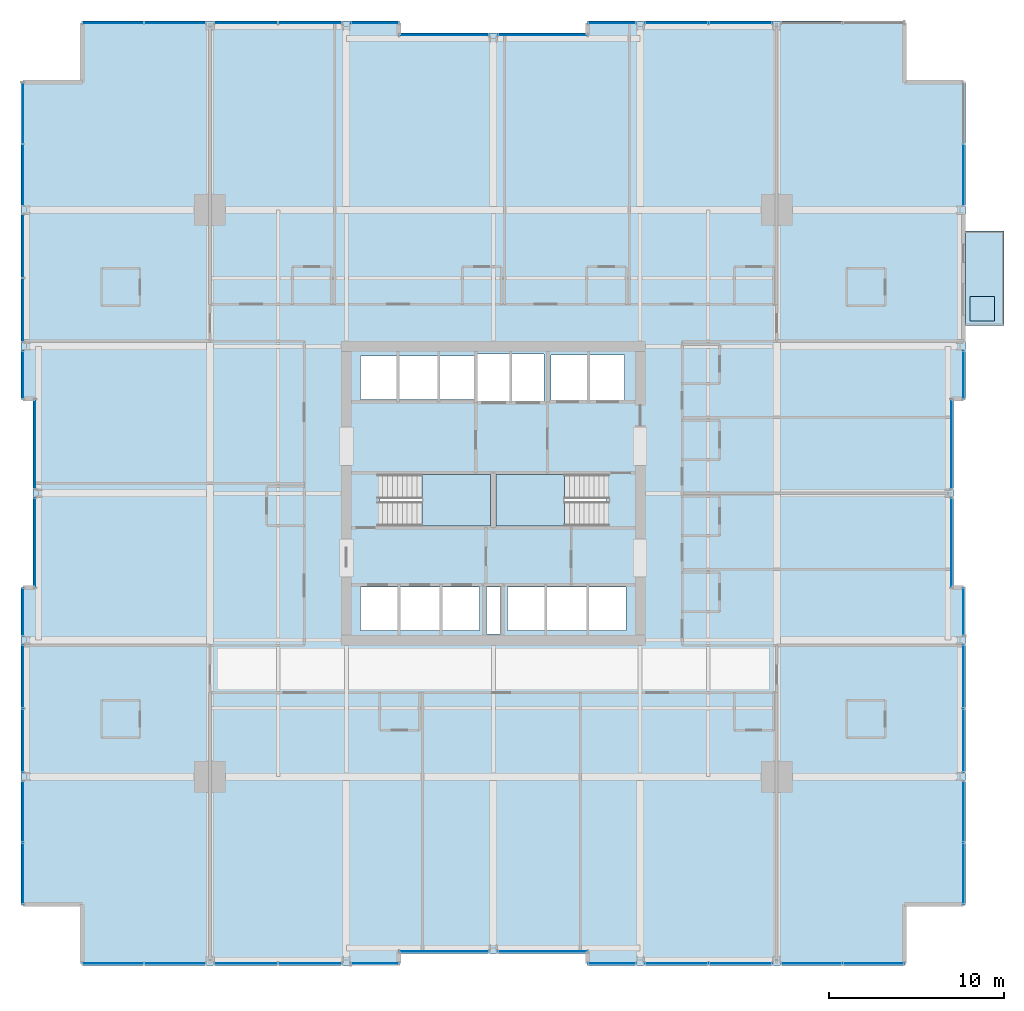
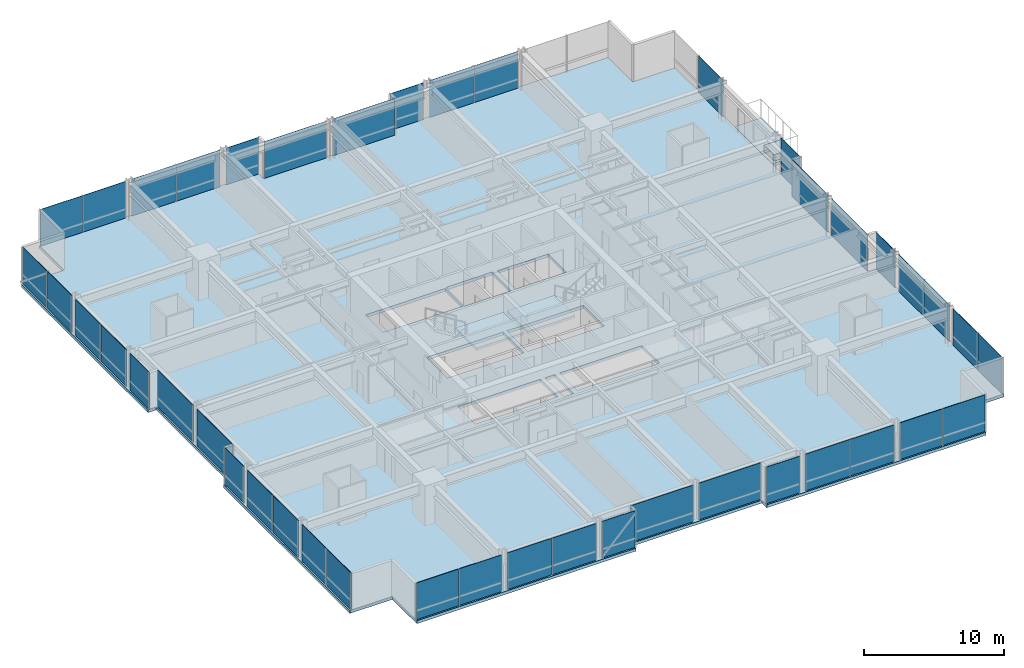
# One storey, part 29 of 38: 43 plates, 5 slabs, 32 elements without a shape of their own.
"""IFC4 building model written with IfcOpenShell, lengths in metres."""

from ifc_helpers import new_model, si_unit, direction, frame, origin, origin_2d, place, context, subcontext, project, spatial, polyline, rectangle, outline, extrude, material, layer, layer_set, type_object, element, aggregate, save


model = new_model("IFC4")

# Units and contexts
model_context = context("Model", 3, precision=1e-05, world=origin(), true_north=direction((0.0, 1.0)))
body_context = subcontext(model_context, "Body", "Model", "MODEL_VIEW")
ifc_project = project(units=[si_unit("LENGTHUNIT", "METRE"), si_unit("AREAUNIT", "SQUARE_METRE"), si_unit("VOLUMEUNIT", "CUBIC_METRE"), si_unit("PLANEANGLEUNIT", "RADIAN"), si_unit("MASSUNIT", "GRAM", prefix="KILO")], contexts=[model_context])

# Site, building, storey
site_placement = place(None, origin())
site = spatial("IfcSite", under=ifc_project, at=site_placement, CompositionType="ELEMENT")
building_placement = place(site_placement, origin())
building = spatial("IfcBuilding", under=site, at=building_placement, Name="Drelvath Grand Hotel", CompositionType="ELEMENT")
storey_placement = place(building_placement, frame((0.0, 0.0, 47.199951171875)))
storey = spatial("IfcBuildingStorey", under=building, at=storey_placement, Name="L10", CompositionType="ELEMENT", Elevation=47.199951171875)

# Slabs
ifc_material_1 = material(Name="Concrete f'c 40 MPa", Category="concrete")
ifc_layer_1 = layer(ifc_material_1, 0.239990234375)
ifc_layer_set_1 = layer_set([ifc_layer_1], Name="Concrete f'c 40 MPa")
slab_type_1 = type_object("IfcSlabType", Name="Cantilevered Tree Balcony Slab 240", PredefinedType="FLOOR", material=ifc_layer_set_1)
slab_1_placement = place(storey_placement, frame((0.0, 0.0, -0.239990234375)))
element("IfcSlab", 1, at=slab_1_placement, inside=storey, type_object=slab_type_1, Name="L10 Cantilevered Tree Balcony Slab 1", PredefinedType="FLOOR", context=body_context, shape_type="SweptSolid", body=[
    extrude(outline(polyline([(27.0, 36.60009765625), (29.199951171875, 36.60009765625), (29.199951171875, 42.0), (27.0, 42.0), (27.0, 36.60009765625)])), origin(), (0.0, 0.0, 1.0), 0.239990234375),
])
ifc_layer_2 = layer(ifc_material_1, 0.260009765625)
ifc_layer_set_2 = layer_set([ifc_layer_2], Name="Concrete f'c 40 MPa")
slab_type_2 = type_object("IfcSlabType", Name="Composite RC Floor Slab 260", PredefinedType="FLOOR", material=ifc_layer_set_2)
slab_2_placement = place(storey_placement, frame((0.0, 0.0, -0.260009765625)))
element("IfcSlab", 2, at=slab_2_placement, inside=storey, type_object=slab_type_2, Name="L10 Structural Floor Slab", PredefinedType="FLOOR", context=body_context, shape_type="SweptSolid", body=[
    extrude(outline(polyline([(-23.5, 0.0), (-5.39990234375, 0.0), (-5.39990234375, 0.679931640625), (5.39990234375, 0.679931640625), (5.39990234375, 0.0), (23.5, 0.0), (23.5, 3.5), (27.0, 3.5), (27.0, 21.60009765625), (26.320068359375, 21.60009765625), (26.320068359375, 32.39990234375), (27.0, 32.39990234375), (27.0, 50.5), (23.5, 50.5), (23.5, 54.0), (5.39990234375, 54.0), (5.39990234375, 53.320068359375), (-5.39990234375, 53.320068359375), (-5.39990234375, 54.0), (-23.5, 54.0), (-23.5, 50.5), (-27.0, 50.5), (-27.0, 32.39990234375), (-26.320068359375, 32.39990234375), (-26.320068359375, 21.60009765625), (-27.0, 21.60009765625), (-27.0, 3.5), (-23.5, 3.5), (-23.5, 0.0)]), holes=[polyline([(-6.47998046875, 25.1201171875), (-6.47998046875, 28.080078125), (-0.14990234375, 28.080078125), (-0.14990234375, 25.1201171875), (-6.47998046875, 25.1201171875)]), polyline([(0.14990234375, 25.1201171875), (0.14990234375, 28.080078125), (6.47998046875, 28.080078125), (6.47998046875, 25.1201171875), (0.14990234375, 25.1201171875)]), polyline([(-7.60009765625, 19.14990234375), (-7.60009765625, 21.64990234375), (-0.800048828125, 21.64990234375), (-0.800048828125, 19.14990234375), (-7.60009765625, 19.14990234375)]), polyline([(-0.39990234375, 18.9599609375), (-0.39990234375, 21.639892578125), (0.39990234375, 21.639892578125), (0.39990234375, 18.9599609375), (-0.39990234375, 18.9599609375)]), polyline([(0.800048828125, 19.14990234375), (0.800048828125, 21.64990234375), (7.60009765625, 21.64990234375), (7.60009765625, 19.14990234375), (0.800048828125, 19.14990234375)]), polyline([(-7.60009765625, 32.35009765625), (-7.60009765625, 34.85009765625), (-1.02001953125, 34.85009765625), (-1.02001953125, 32.35009765625), (-7.60009765625, 32.35009765625)]), polyline([(-0.89990234375, 32.25), (-0.89990234375, 34.949951171875), (2.89990234375, 34.949951171875), (2.89990234375, 32.25), (-0.89990234375, 32.25)]), polyline([(3.300048828125, 32.300048828125), (3.300048828125, 34.89990234375), (7.5, 34.89990234375), (7.5, 32.300048828125), (3.300048828125, 32.300048828125)])]), origin(), (0.0, 0.0, 1.0), 0.260009765625),
])

# Stair, slab
ifc_material_2 = material(Name="Concrete C40/50", Category="concrete")
stair_type = type_object("IfcStairType", Name="Dogleg Exit Stair W1400-R175.0", PredefinedType="HALF_TURN_STAIR", material=ifc_material_2)
stair_1_placement = place(storey_placement, origin())
stair_1 = element("IfcStair", 3, at=stair_1_placement, inside=storey, type_object=stair_type, Name="L10 Core Exit Stair ST-1", PredefinedType="HALF_TURN_STAIR")
ifc_layer_3 = layer(ifc_material_2, 0.199951171875)
ifc_layer_set_3 = layer_set([ifc_layer_3], Name="Concrete C40/50")
slab_type_3 = type_object("IfcSlabType", Name="Concrete Stair Landing Slab 200", PredefinedType="LANDING", material=ifc_layer_set_3)
slab_3_placement = place(storey_placement, frame((0.0, 0.0, 1.550048828125)))
slab_3 = element("IfcSlab", 4, at=slab_3_placement, type_object=slab_type_3, Name="ST-1 landing 1", PredefinedType="LANDING", context=body_context, shape_type="SweptSolid", body=[
    extrude(outline(polyline([(-4.080078125, 25.1201171875), (-0.14990234375, 25.1201171875), (-0.14990234375, 28.080078125), (-4.080078125, 28.080078125), (-4.080078125, 25.1201171875)])), origin(), (0.0, 0.0, 1.0), 0.199951171875),
])
aggregate(stair_1, [slab_3])

stair_2_placement = place(storey_placement, origin())
stair_2 = element("IfcStair", 5, at=stair_2_placement, inside=storey, type_object=stair_type, Name="L10 Core Exit Stair ST-2", PredefinedType="HALF_TURN_STAIR")
slab_4_placement = place(storey_placement, frame((0.0, 0.0, 1.550048828125)))
slab_4 = element("IfcSlab", 6, at=slab_4_placement, type_object=slab_type_3, Name="ST-2 landing 1", PredefinedType="LANDING", context=body_context, shape_type="SweptSolid", body=[
    extrude(outline(polyline([(4.080078125, 28.080078125), (0.14990234375, 28.080078125), (0.14990234375, 25.1201171875), (4.080078125, 25.1201171875), (4.080078125, 28.080078125)])), origin(), (0.0, 0.0, 1.0), 0.199951171875),
])
aggregate(stair_2, [slab_4])

# Curtain wall, plates
ifc_material_3 = material(Name="Warm Bronze Anodised Aluminium Frame", Category="aluminium")
ifc_layer_4 = layer(ifc_material_3, 0.199951171875)
ifc_layer_set_4 = layer_set([ifc_layer_4], Name="Warm Bronze Anodised Aluminium Frame")
curtain_wall_type = type_object("IfcCurtainWallType", Name="Stick Curtain Wall CW-02 Warm Bronze Low-Rise", PredefinedType="NOTDEFINED", material=ifc_layer_set_4)
curtain_wall_1_placement = place(storey_placement, origin())
curtain_wall_1 = element("IfcCurtainWall", 7, at=curtain_wall_1_placement, inside=storey, type_object=curtain_wall_type, Name="L10 CW-02 Curtain Wall CW02-L10-WS1", PredefinedType="NOTDEFINED")
ifc_material_4 = material(Name="Low-E Triple Silver Vision Glass Bronze Tint", Category="glass")
ifc_layer_5 = layer(ifc_material_4, 0.035888671875)
ifc_layer_set_5 = layer_set([ifc_layer_5], Name="Low-E Triple Silver Vision Glass Bronze Tint")
plate_type = type_object("IfcPlateType", Name="Curtain Wall Vision Panel CW-02 36mm", PredefinedType="CURTAIN_PANEL", material=ifc_layer_set_5)
plate_1_placement = place(storey_placement, frame((-26.8798828125, 5.264892578125, 0.02001953125), z_axis=(0.0, 0.0, 1.0), x_axis=(0.0, 1.0, 0.0)))
plate_1 = element("IfcPlate", 8, at=plate_1_placement, type_object=plate_type, Name="CW02-L10-WS1 Glazed Panel 1", PredefinedType="CURTAIN_PANEL", context=body_context, shape_type="SweptSolid", body=[
    extrude(rectangle(XDim=3.489501953125, YDim=0.035888671875, at=origin_2d()), origin(), (0.0, 0.0, 1.0), 3.199951171875),
])
plate_2_placement = place(storey_placement, frame((-26.8798828125, 8.794189453125, 0.02001953125), z_axis=(0.0, 0.0, 1.0), x_axis=(0.0, 1.0, 0.0)))
plate_2 = element("IfcPlate", 9, at=plate_2_placement, type_object=plate_type, Name="CW02-L10-WS1 Glazed Panel 2", PredefinedType="CURTAIN_PANEL", context=body_context, shape_type="SweptSolid", body=[
    extrude(rectangle(XDim=3.489501953125, YDim=0.035888671875, at=origin_2d()), origin(), (0.0, 0.0, 1.0), 3.199951171875),
])
aggregate(curtain_wall_1, [plate_1, plate_2])

curtain_wall_2_placement = place(storey_placement, origin())
curtain_wall_2 = element("IfcCurtainWall", 10, at=curtain_wall_2_placement, inside=storey, type_object=curtain_wall_type, Name="L10 CW-02 Curtain Wall CW02-L10-WS2", PredefinedType="NOTDEFINED")
plate_3_placement = place(storey_placement, frame((-26.8798828125, 12.870361328125, 0.02001953125), z_axis=(0.0, 0.0, 1.0), x_axis=(0.0, 1.0, 0.0)))
plate_3 = element("IfcPlate", 11, at=plate_3_placement, type_object=plate_type, Name="CW02-L10-WS2 Glazed Panel 1", PredefinedType="CURTAIN_PANEL", context=body_context, shape_type="SweptSolid", body=[
    extrude(rectangle(XDim=3.619140625, YDim=0.035888671875, at=origin_2d()), origin(), (0.0, 0.0, 1.0), 3.199951171875),
])
plate_4_placement = place(storey_placement, frame((-26.8798828125, 16.529541015625, 0.02001953125), z_axis=(0.0, 0.0, 1.0), x_axis=(0.0, 1.0, 0.0)))
plate_4 = element("IfcPlate", 12, at=plate_4_placement, type_object=plate_type, Name="CW02-L10-WS2 Glazed Panel 2", PredefinedType="CURTAIN_PANEL", context=body_context, shape_type="SweptSolid", body=[
    extrude(rectangle(XDim=3.619140625, YDim=0.035888671875, at=origin_2d()), origin(), (0.0, 0.0, 1.0), 3.199951171875),
])
aggregate(curtain_wall_2, [plate_3, plate_4])

# Curtain wall, plate
curtain_wall_3_placement = place(storey_placement, origin())
curtain_wall_3 = element("IfcCurtainWall", 13, at=curtain_wall_3_placement, inside=storey, type_object=curtain_wall_type, Name="L10 CW-02 Curtain Wall CW02-L10-WS3", PredefinedType="NOTDEFINED")
plate_5_placement = place(storey_placement, frame((-26.8798828125, 20.220458984375, 0.02001953125), z_axis=(0.0, 0.0, 1.0), x_axis=(0.0, 1.0, 0.0)))
plate_5 = element("IfcPlate", 14, at=plate_5_placement, type_object=plate_type, Name="CW02-L10-WS3 Glazed Panel 1", PredefinedType="CURTAIN_PANEL", context=body_context, shape_type="SweptSolid", body=[
    extrude(rectangle(XDim=2.718994140625, YDim=0.035888671875, at=origin_2d()), origin(), (0.0, 0.0, 1.0), 3.199951171875),
])
aggregate(curtain_wall_3, [plate_5])

curtain_wall_4_placement = place(storey_placement, origin())
curtain_wall_4 = element("IfcCurtainWall", 15, at=curtain_wall_4_placement, inside=storey, type_object=curtain_wall_type, Name="L10 CW-02 Curtain Wall CW02-L10-WM1", PredefinedType="NOTDEFINED")
plate_6_placement = place(storey_placement, frame((-26.199951171875, 24.179443359375, 0.02001953125), z_axis=(0.0, 0.0, 1.0), x_axis=(0.0, 1.0, 0.0)))
plate_6 = element("IfcPlate", 16, at=plate_6_placement, type_object=plate_type, Name="CW02-L10-WM1 Glazed Panel 1", PredefinedType="CURTAIN_PANEL", context=body_context, shape_type="SweptSolid", body=[
    extrude(rectangle(XDim=5.119140625, YDim=0.035888671875, at=origin_2d()), origin(), (0.0, 0.0, 1.0), 3.199951171875),
])
aggregate(curtain_wall_4, [plate_6])

curtain_wall_5_placement = place(storey_placement, origin())
curtain_wall_5 = element("IfcCurtainWall", 17, at=curtain_wall_5_placement, inside=storey, type_object=curtain_wall_type, Name="L10 CW-02 Curtain Wall CW02-L10-WM2", PredefinedType="NOTDEFINED")
plate_7_placement = place(storey_placement, frame((-26.199951171875, 29.820556640625, 0.02001953125), z_axis=(0.0, 0.0, 1.0), x_axis=(0.0, 1.0, 0.0)))
plate_7 = element("IfcPlate", 18, at=plate_7_placement, type_object=plate_type, Name="CW02-L10-WM2 Glazed Panel 1", PredefinedType="CURTAIN_PANEL", context=body_context, shape_type="SweptSolid", body=[
    extrude(rectangle(XDim=5.119140625, YDim=0.035888671875, at=origin_2d()), origin(), (0.0, 0.0, 1.0), 3.199951171875),
])
aggregate(curtain_wall_5, [plate_7])

curtain_wall_6_placement = place(storey_placement, origin())
curtain_wall_6 = element("IfcCurtainWall", 19, at=curtain_wall_6_placement, inside=storey, type_object=curtain_wall_type, Name="L10 CW-02 Curtain Wall CW02-L10-WN1", PredefinedType="NOTDEFINED")
plate_8_placement = place(storey_placement, frame((-26.8798828125, 33.779541015625, 0.02001953125), z_axis=(0.0, 0.0, 1.0), x_axis=(0.0, 1.0, 0.0)))
plate_8 = element("IfcPlate", 20, at=plate_8_placement, type_object=plate_type, Name="CW02-L10-WN1 Glazed Panel 1", PredefinedType="CURTAIN_PANEL", context=body_context, shape_type="SweptSolid", body=[
    extrude(rectangle(XDim=2.718994140625, YDim=0.035888671875, at=origin_2d()), origin(), (0.0, 0.0, 1.0), 3.199951171875),
])
aggregate(curtain_wall_6, [plate_8])

# Curtain wall, plates
curtain_wall_7_placement = place(storey_placement, origin())
curtain_wall_7 = element("IfcCurtainWall", 21, at=curtain_wall_7_placement, inside=storey, type_object=curtain_wall_type, Name="L10 CW-02 Curtain Wall CW02-L10-WN2", PredefinedType="NOTDEFINED")
plate_9_placement = place(storey_placement, frame((-26.8798828125, 37.470458984375, 0.02001953125), z_axis=(0.0, 0.0, 1.0), x_axis=(0.0, 1.0, 0.0)))
plate_9 = element("IfcPlate", 22, at=plate_9_placement, type_object=plate_type, Name="CW02-L10-WN2 Glazed Panel 1", PredefinedType="CURTAIN_PANEL", context=body_context, shape_type="SweptSolid", body=[
    extrude(rectangle(XDim=3.619140625, YDim=0.035888671875, at=origin_2d()), origin(), (0.0, 0.0, 1.0), 3.199951171875),
])
plate_10_placement = place(storey_placement, frame((-26.8798828125, 41.129638671875, 0.02001953125), z_axis=(0.0, 0.0, 1.0), x_axis=(0.0, 1.0, 0.0)))
plate_10 = element("IfcPlate", 23, at=plate_10_placement, type_object=plate_type, Name="CW02-L10-WN2 Glazed Panel 2", PredefinedType="CURTAIN_PANEL", context=body_context, shape_type="SweptSolid", body=[
    extrude(rectangle(XDim=3.619140625, YDim=0.035888671875, at=origin_2d()), origin(), (0.0, 0.0, 1.0), 3.199951171875),
])
aggregate(curtain_wall_7, [plate_9, plate_10])

curtain_wall_8_placement = place(storey_placement, origin())
curtain_wall_8 = element("IfcCurtainWall", 24, at=curtain_wall_8_placement, inside=storey, type_object=curtain_wall_type, Name="L10 CW-02 Curtain Wall CW02-L10-WN3", PredefinedType="NOTDEFINED")
plate_11_placement = place(storey_placement, frame((-26.8798828125, 45.205810546875, 0.02001953125), z_axis=(0.0, 0.0, 1.0), x_axis=(0.0, 1.0, 0.0)))
plate_11 = element("IfcPlate", 25, at=plate_11_placement, type_object=plate_type, Name="CW02-L10-WN3 Glazed Panel 1", PredefinedType="CURTAIN_PANEL", context=body_context, shape_type="SweptSolid", body=[
    extrude(rectangle(XDim=3.489501953125, YDim=0.035888671875, at=origin_2d()), origin(), (0.0, 0.0, 1.0), 3.199951171875),
])
plate_12_placement = place(storey_placement, frame((-26.8798828125, 48.735107421875, 0.02001953125), z_axis=(0.0, 0.0, 1.0), x_axis=(0.0, 1.0, 0.0)))
plate_12 = element("IfcPlate", 26, at=plate_12_placement, type_object=plate_type, Name="CW02-L10-WN3 Glazed Panel 2", PredefinedType="CURTAIN_PANEL", context=body_context, shape_type="SweptSolid", body=[
    extrude(rectangle(XDim=3.489501953125, YDim=0.035888671875, at=origin_2d()), origin(), (0.0, 0.0, 1.0), 3.199951171875),
])
aggregate(curtain_wall_8, [plate_11, plate_12])

# Curtain wall, plate
curtain_wall_9_placement = place(storey_placement, origin())
curtain_wall_9 = element("IfcCurtainWall", 27, at=curtain_wall_9_placement, inside=storey, type_object=curtain_wall_type, Name="L10 CW-02 Curtain Wall CW02-L10-EN1", PredefinedType="NOTDEFINED")
plate_13_placement = place(storey_placement, frame((26.8798828125, 33.779541015625, 0.02001953125), z_axis=(0.0, 0.0, 1.0), x_axis=(0.0, -1.0, 0.0)))
plate_13 = element("IfcPlate", 28, at=plate_13_placement, type_object=plate_type, Name="CW02-L10-EN1 Glazed Panel 1", PredefinedType="CURTAIN_PANEL", context=body_context, shape_type="SweptSolid", body=[
    extrude(rectangle(XDim=2.718994140625, YDim=0.035888671875, at=origin_2d()), origin(), (0.0, 0.0, 1.0), 3.199951171875),
])
aggregate(curtain_wall_9, [plate_13])

curtain_wall_10_placement = place(storey_placement, origin())
curtain_wall_10 = element("IfcCurtainWall", 29, at=curtain_wall_10_placement, inside=storey, type_object=curtain_wall_type, Name="L10 CW-02 Curtain Wall CW02-L10-EN3", PredefinedType="NOTDEFINED")
plate_14_placement = place(storey_placement, frame((26.8798828125, 45.205810546875, 0.02001953125), z_axis=(0.0, 0.0, 1.0), x_axis=(0.0, -1.0, 0.0)))
plate_14 = element("IfcPlate", 30, at=plate_14_placement, type_object=plate_type, Name="CW02-L10-EN3 Glazed Panel 2", PredefinedType="CURTAIN_PANEL", context=body_context, shape_type="SweptSolid", body=[
    extrude(rectangle(XDim=3.489501953125, YDim=0.035888671875, at=origin_2d()), origin(), (0.0, 0.0, 1.0), 3.199951171875),
])
aggregate(curtain_wall_10, [plate_14])

curtain_wall_11_placement = place(storey_placement, origin())
curtain_wall_11 = element("IfcCurtainWall", 31, at=curtain_wall_11_placement, inside=storey, type_object=curtain_wall_type, Name="L10 CW-02 Curtain Wall CW02-L10-EM1", PredefinedType="NOTDEFINED")
plate_15_placement = place(storey_placement, frame((26.199951171875, 24.179443359375, 0.02001953125), z_axis=(0.0, 0.0, 1.0), x_axis=(0.0, -1.0, 0.0)))
plate_15 = element("IfcPlate", 32, at=plate_15_placement, type_object=plate_type, Name="CW02-L10-EM1 Glazed Panel 1", PredefinedType="CURTAIN_PANEL", context=body_context, shape_type="SweptSolid", body=[
    extrude(rectangle(XDim=5.119140625, YDim=0.035888671875, at=origin_2d()), origin(), (0.0, 0.0, 1.0), 3.199951171875),
])
aggregate(curtain_wall_11, [plate_15])

curtain_wall_12_placement = place(storey_placement, origin())
curtain_wall_12 = element("IfcCurtainWall", 33, at=curtain_wall_12_placement, inside=storey, type_object=curtain_wall_type, Name="L10 CW-02 Curtain Wall CW02-L10-EM2", PredefinedType="NOTDEFINED")
plate_16_placement = place(storey_placement, frame((26.199951171875, 29.820556640625, 0.02001953125), z_axis=(0.0, 0.0, 1.0), x_axis=(0.0, -1.0, 0.0)))
plate_16 = element("IfcPlate", 34, at=plate_16_placement, type_object=plate_type, Name="CW02-L10-EM2 Glazed Panel 1", PredefinedType="CURTAIN_PANEL", context=body_context, shape_type="SweptSolid", body=[
    extrude(rectangle(XDim=5.119140625, YDim=0.035888671875, at=origin_2d()), origin(), (0.0, 0.0, 1.0), 3.199951171875),
])
aggregate(curtain_wall_12, [plate_16])

# Curtain wall, plates
curtain_wall_13_placement = place(storey_placement, origin())
curtain_wall_13 = element("IfcCurtainWall", 35, at=curtain_wall_13_placement, inside=storey, type_object=curtain_wall_type, Name="L10 CW-02 Curtain Wall CW02-L10-ES1", PredefinedType="NOTDEFINED")
plate_17_placement = place(storey_placement, frame((26.8798828125, 8.794189453125, 0.02001953125), z_axis=(0.0, 0.0, 1.0), x_axis=(0.0, -1.0, 0.0)))
plate_17 = element("IfcPlate", 36, at=plate_17_placement, type_object=plate_type, Name="CW02-L10-ES1 Glazed Panel 1", PredefinedType="CURTAIN_PANEL", context=body_context, shape_type="SweptSolid", body=[
    extrude(rectangle(XDim=3.489501953125, YDim=0.035888671875, at=origin_2d()), origin(), (0.0, 0.0, 1.0), 3.199951171875),
])
plate_18_placement = place(storey_placement, frame((26.8798828125, 5.264892578125, 0.02001953125), z_axis=(0.0, 0.0, 1.0), x_axis=(0.0, -1.0, 0.0)))
plate_18 = element("IfcPlate", 37, at=plate_18_placement, type_object=plate_type, Name="CW02-L10-ES1 Glazed Panel 2", PredefinedType="CURTAIN_PANEL", context=body_context, shape_type="SweptSolid", body=[
    extrude(rectangle(XDim=3.489501953125, YDim=0.035888671875, at=origin_2d()), origin(), (0.0, 0.0, 1.0), 3.199951171875),
])
aggregate(curtain_wall_13, [plate_17, plate_18])

curtain_wall_14_placement = place(storey_placement, origin())
curtain_wall_14 = element("IfcCurtainWall", 38, at=curtain_wall_14_placement, inside=storey, type_object=curtain_wall_type, Name="L10 CW-02 Curtain Wall CW02-L10-ES2", PredefinedType="NOTDEFINED")
plate_19_placement = place(storey_placement, frame((26.8798828125, 16.529541015625, 0.02001953125), z_axis=(0.0, 0.0, 1.0), x_axis=(0.0, -1.0, 0.0)))
plate_19 = element("IfcPlate", 39, at=plate_19_placement, type_object=plate_type, Name="CW02-L10-ES2 Glazed Panel 1", PredefinedType="CURTAIN_PANEL", context=body_context, shape_type="SweptSolid", body=[
    extrude(rectangle(XDim=3.619140625, YDim=0.035888671875, at=origin_2d()), origin(), (0.0, 0.0, 1.0), 3.199951171875),
])
plate_20_placement = place(storey_placement, frame((26.8798828125, 12.870361328125, 0.02001953125), z_axis=(0.0, 0.0, 1.0), x_axis=(0.0, -1.0, 0.0)))
plate_20 = element("IfcPlate", 40, at=plate_20_placement, type_object=plate_type, Name="CW02-L10-ES2 Glazed Panel 2", PredefinedType="CURTAIN_PANEL", context=body_context, shape_type="SweptSolid", body=[
    extrude(rectangle(XDim=3.619140625, YDim=0.035888671875, at=origin_2d()), origin(), (0.0, 0.0, 1.0), 3.199951171875),
])
aggregate(curtain_wall_14, [plate_19, plate_20])

# Curtain wall, plate
curtain_wall_15_placement = place(storey_placement, origin())
curtain_wall_15 = element("IfcCurtainWall", 41, at=curtain_wall_15_placement, inside=storey, type_object=curtain_wall_type, Name="L10 CW-02 Curtain Wall CW02-L10-ES3", PredefinedType="NOTDEFINED")
plate_21_placement = place(storey_placement, frame((26.8798828125, 20.220458984375, 0.02001953125), z_axis=(0.0, 0.0, 1.0), x_axis=(0.0, -1.0, 0.0)))
plate_21 = element("IfcPlate", 42, at=plate_21_placement, type_object=plate_type, Name="CW02-L10-ES3 Glazed Panel 1", PredefinedType="CURTAIN_PANEL", context=body_context, shape_type="SweptSolid", body=[
    extrude(rectangle(XDim=2.718994140625, YDim=0.035888671875, at=origin_2d()), origin(), (0.0, 0.0, 1.0), 3.199951171875),
])
aggregate(curtain_wall_15, [plate_21])

# Curtain wall, plates
curtain_wall_16_placement = place(storey_placement, origin())
curtain_wall_16 = element("IfcCurtainWall", 43, at=curtain_wall_16_placement, inside=storey, type_object=curtain_wall_type, Name="L10 CW-02 Curtain Wall CW02-L10-NW1", PredefinedType="NOTDEFINED")
plate_22_placement = place(storey_placement, frame((-21.735107421875, 53.8798828125, 0.02001953125), z_axis=(0.0, 0.0, 1.0), x_axis=(1.0, 0.0, 0.0)))
plate_22 = element("IfcPlate", 44, at=plate_22_placement, type_object=plate_type, Name="CW02-L10-NW1 Glazed Panel 1", PredefinedType="CURTAIN_PANEL", context=body_context, shape_type="SweptSolid", body=[
    extrude(rectangle(XDim=3.489501953125, YDim=0.035888671875, at=origin_2d()), origin(), (0.0, 0.0, 1.0), 3.199951171875),
])
plate_23_placement = place(storey_placement, frame((-18.205810546875, 53.8798828125, 0.02001953125), z_axis=(0.0, 0.0, 1.0), x_axis=(1.0, 0.0, 0.0)))
plate_23 = element("IfcPlate", 45, at=plate_23_placement, type_object=plate_type, Name="CW02-L10-NW1 Glazed Panel 2", PredefinedType="CURTAIN_PANEL", context=body_context, shape_type="SweptSolid", body=[
    extrude(rectangle(XDim=3.489501953125, YDim=0.035888671875, at=origin_2d()), origin(), (0.0, 0.0, 1.0), 3.199951171875),
])
aggregate(curtain_wall_16, [plate_22, plate_23])

curtain_wall_17_placement = place(storey_placement, origin())
curtain_wall_17 = element("IfcCurtainWall", 46, at=curtain_wall_17_placement, inside=storey, type_object=curtain_wall_type, Name="L10 CW-02 Curtain Wall CW02-L10-NW2", PredefinedType="NOTDEFINED")
plate_24_placement = place(storey_placement, frame((-14.129638671875, 53.8798828125, 0.02001953125), z_axis=(0.0, 0.0, 1.0), x_axis=(1.0, 0.0, 0.0)))
plate_24 = element("IfcPlate", 47, at=plate_24_placement, type_object=plate_type, Name="CW02-L10-NW2 Glazed Panel 1", PredefinedType="CURTAIN_PANEL", context=body_context, shape_type="SweptSolid", body=[
    extrude(rectangle(XDim=3.619140625, YDim=0.035888671875, at=origin_2d()), origin(), (0.0, 0.0, 1.0), 3.199951171875),
])
plate_25_placement = place(storey_placement, frame((-10.470458984375, 53.8798828125, 0.02001953125), z_axis=(0.0, 0.0, 1.0), x_axis=(1.0, 0.0, 0.0)))
plate_25 = element("IfcPlate", 48, at=plate_25_placement, type_object=plate_type, Name="CW02-L10-NW2 Glazed Panel 2", PredefinedType="CURTAIN_PANEL", context=body_context, shape_type="SweptSolid", body=[
    extrude(rectangle(XDim=3.619140625, YDim=0.035888671875, at=origin_2d()), origin(), (0.0, 0.0, 1.0), 3.199951171875),
])
aggregate(curtain_wall_17, [plate_24, plate_25])

# Curtain wall, plate
curtain_wall_18_placement = place(storey_placement, origin())
curtain_wall_18 = element("IfcCurtainWall", 49, at=curtain_wall_18_placement, inside=storey, type_object=curtain_wall_type, Name="L10 CW-02 Curtain Wall CW02-L10-NW3", PredefinedType="NOTDEFINED")
plate_26_placement = place(storey_placement, frame((-6.779541015625, 53.8798828125, 0.02001953125), z_axis=(0.0, 0.0, 1.0), x_axis=(1.0, 0.0, 0.0)))
plate_26 = element("IfcPlate", 50, at=plate_26_placement, type_object=plate_type, Name="CW02-L10-NW3 Glazed Panel 1", PredefinedType="CURTAIN_PANEL", context=body_context, shape_type="SweptSolid", body=[
    extrude(rectangle(XDim=2.718994140625, YDim=0.035888671875, at=origin_2d()), origin(), (0.0, 0.0, 1.0), 3.199951171875),
])
aggregate(curtain_wall_18, [plate_26])

curtain_wall_19_placement = place(storey_placement, origin())
curtain_wall_19 = element("IfcCurtainWall", 51, at=curtain_wall_19_placement, inside=storey, type_object=curtain_wall_type, Name="L10 CW-02 Curtain Wall CW02-L10-NM1", PredefinedType="NOTDEFINED")
plate_27_placement = place(storey_placement, frame((-2.820556640625, 53.199951171875, 0.02001953125), z_axis=(0.0, 0.0, 1.0), x_axis=(1.0, 0.0, 0.0)))
plate_27 = element("IfcPlate", 52, at=plate_27_placement, type_object=plate_type, Name="CW02-L10-NM1 Glazed Panel 1", PredefinedType="CURTAIN_PANEL", context=body_context, shape_type="SweptSolid", body=[
    extrude(rectangle(XDim=5.119140625, YDim=0.035888671875, at=origin_2d()), origin(), (0.0, 0.0, 1.0), 3.199951171875),
])
aggregate(curtain_wall_19, [plate_27])

curtain_wall_20_placement = place(storey_placement, origin())
curtain_wall_20 = element("IfcCurtainWall", 53, at=curtain_wall_20_placement, inside=storey, type_object=curtain_wall_type, Name="L10 CW-02 Curtain Wall CW02-L10-NM2", PredefinedType="NOTDEFINED")
plate_28_placement = place(storey_placement, frame((2.820556640625, 53.199951171875, 0.02001953125), z_axis=(0.0, 0.0, 1.0), x_axis=(1.0, 0.0, 0.0)))
plate_28 = element("IfcPlate", 54, at=plate_28_placement, type_object=plate_type, Name="CW02-L10-NM2 Glazed Panel 1", PredefinedType="CURTAIN_PANEL", context=body_context, shape_type="SweptSolid", body=[
    extrude(rectangle(XDim=5.119140625, YDim=0.035888671875, at=origin_2d()), origin(), (0.0, 0.0, 1.0), 3.199951171875),
])
aggregate(curtain_wall_20, [plate_28])

curtain_wall_21_placement = place(storey_placement, origin())
curtain_wall_21 = element("IfcCurtainWall", 55, at=curtain_wall_21_placement, inside=storey, type_object=curtain_wall_type, Name="L10 CW-02 Curtain Wall CW02-L10-NE1", PredefinedType="NOTDEFINED")
plate_29_placement = place(storey_placement, frame((6.779541015625, 53.8798828125, 0.02001953125), z_axis=(0.0, 0.0, 1.0), x_axis=(1.0, 0.0, 0.0)))
plate_29 = element("IfcPlate", 56, at=plate_29_placement, type_object=plate_type, Name="CW02-L10-NE1 Glazed Panel 1", PredefinedType="CURTAIN_PANEL", context=body_context, shape_type="SweptSolid", body=[
    extrude(rectangle(XDim=2.718994140625, YDim=0.035888671875, at=origin_2d()), origin(), (0.0, 0.0, 1.0), 3.199951171875),
])
aggregate(curtain_wall_21, [plate_29])

# Curtain wall, plates
curtain_wall_22_placement = place(storey_placement, origin())
curtain_wall_22 = element("IfcCurtainWall", 57, at=curtain_wall_22_placement, inside=storey, type_object=curtain_wall_type, Name="L10 CW-02 Curtain Wall CW02-L10-NE2", PredefinedType="NOTDEFINED")
plate_30_placement = place(storey_placement, frame((10.470458984375, 53.8798828125, 0.02001953125), z_axis=(0.0, 0.0, 1.0), x_axis=(1.0, 0.0, 0.0)))
plate_30 = element("IfcPlate", 58, at=plate_30_placement, type_object=plate_type, Name="CW02-L10-NE2 Glazed Panel 1", PredefinedType="CURTAIN_PANEL", context=body_context, shape_type="SweptSolid", body=[
    extrude(rectangle(XDim=3.619140625, YDim=0.035888671875, at=origin_2d()), origin(), (0.0, 0.0, 1.0), 3.199951171875),
])
plate_31_placement = place(storey_placement, frame((14.129638671875, 53.8798828125, 0.02001953125), z_axis=(0.0, 0.0, 1.0), x_axis=(1.0, 0.0, 0.0)))
plate_31 = element("IfcPlate", 59, at=plate_31_placement, type_object=plate_type, Name="CW02-L10-NE2 Glazed Panel 2", PredefinedType="CURTAIN_PANEL", context=body_context, shape_type="SweptSolid", body=[
    extrude(rectangle(XDim=3.619140625, YDim=0.035888671875, at=origin_2d()), origin(), (0.0, 0.0, 1.0), 3.199951171875),
])
aggregate(curtain_wall_22, [plate_30, plate_31])

# Curtain wall, plate
curtain_wall_23_placement = place(storey_placement, origin())
curtain_wall_23 = element("IfcCurtainWall", 60, at=curtain_wall_23_placement, inside=storey, type_object=curtain_wall_type, Name="L10 CW-02 Curtain Wall CW02-L10-SE1", PredefinedType="NOTDEFINED")
plate_32_placement = place(storey_placement, frame((6.779541015625, 0.1201171875, 0.02001953125), z_axis=(0.0, 0.0, 1.0), x_axis=(-1.0, 0.0, 0.0)))
plate_32 = element("IfcPlate", 61, at=plate_32_placement, type_object=plate_type, Name="CW02-L10-SE1 Glazed Panel 1", PredefinedType="CURTAIN_PANEL", context=body_context, shape_type="SweptSolid", body=[
    extrude(rectangle(XDim=2.718994140625, YDim=0.035888671875, at=origin_2d()), origin(), (0.0, 0.0, 1.0), 3.199951171875),
])
aggregate(curtain_wall_23, [plate_32])

# Curtain wall, plates
curtain_wall_24_placement = place(storey_placement, origin())
curtain_wall_24 = element("IfcCurtainWall", 62, at=curtain_wall_24_placement, inside=storey, type_object=curtain_wall_type, Name="L10 CW-02 Curtain Wall CW02-L10-SE2", PredefinedType="NOTDEFINED")
plate_33_placement = place(storey_placement, frame((14.129638671875, 0.1201171875, 0.02001953125), z_axis=(0.0, 0.0, 1.0), x_axis=(-1.0, 0.0, 0.0)))
plate_33 = element("IfcPlate", 63, at=plate_33_placement, type_object=plate_type, Name="CW02-L10-SE2 Glazed Panel 1", PredefinedType="CURTAIN_PANEL", context=body_context, shape_type="SweptSolid", body=[
    extrude(rectangle(XDim=3.619140625, YDim=0.035888671875, at=origin_2d()), origin(), (0.0, 0.0, 1.0), 3.199951171875),
])
plate_34_placement = place(storey_placement, frame((10.470458984375, 0.1201171875, 0.02001953125), z_axis=(0.0, 0.0, 1.0), x_axis=(-1.0, 0.0, 0.0)))
plate_34 = element("IfcPlate", 64, at=plate_34_placement, type_object=plate_type, Name="CW02-L10-SE2 Glazed Panel 2", PredefinedType="CURTAIN_PANEL", context=body_context, shape_type="SweptSolid", body=[
    extrude(rectangle(XDim=3.619140625, YDim=0.035888671875, at=origin_2d()), origin(), (0.0, 0.0, 1.0), 3.199951171875),
])
aggregate(curtain_wall_24, [plate_33, plate_34])

curtain_wall_25_placement = place(storey_placement, origin())
curtain_wall_25 = element("IfcCurtainWall", 65, at=curtain_wall_25_placement, inside=storey, type_object=curtain_wall_type, Name="L10 CW-02 Curtain Wall CW02-L10-SE3", PredefinedType="NOTDEFINED")
plate_35_placement = place(storey_placement, frame((21.735107421875, 0.1201171875, 0.02001953125), z_axis=(0.0, 0.0, 1.0), x_axis=(-1.0, 0.0, 0.0)))
plate_35 = element("IfcPlate", 66, at=plate_35_placement, type_object=plate_type, Name="CW02-L10-SE3 Glazed Panel 1", PredefinedType="CURTAIN_PANEL", context=body_context, shape_type="SweptSolid", body=[
    extrude(rectangle(XDim=3.489501953125, YDim=0.035888671875, at=origin_2d()), origin(), (0.0, 0.0, 1.0), 3.199951171875),
])
plate_36_placement = place(storey_placement, frame((18.205810546875, 0.1201171875, 0.02001953125), z_axis=(0.0, 0.0, 1.0), x_axis=(-1.0, 0.0, 0.0)))
plate_36 = element("IfcPlate", 67, at=plate_36_placement, type_object=plate_type, Name="CW02-L10-SE3 Glazed Panel 2", PredefinedType="CURTAIN_PANEL", context=body_context, shape_type="SweptSolid", body=[
    extrude(rectangle(XDim=3.489501953125, YDim=0.035888671875, at=origin_2d()), origin(), (0.0, 0.0, 1.0), 3.199951171875),
])
aggregate(curtain_wall_25, [plate_35, plate_36])

# Curtain wall, plate
curtain_wall_26_placement = place(storey_placement, origin())
curtain_wall_26 = element("IfcCurtainWall", 68, at=curtain_wall_26_placement, inside=storey, type_object=curtain_wall_type, Name="L10 CW-02 Curtain Wall CW02-L10-SM1", PredefinedType="NOTDEFINED")
plate_37_placement = place(storey_placement, frame((-2.820556640625, 0.800048828125, 0.02001953125), z_axis=(0.0, 0.0, 1.0), x_axis=(-1.0, 0.0, 0.0)))
plate_37 = element("IfcPlate", 69, at=plate_37_placement, type_object=plate_type, Name="CW02-L10-SM1 Glazed Panel 1", PredefinedType="CURTAIN_PANEL", context=body_context, shape_type="SweptSolid", body=[
    extrude(rectangle(XDim=5.119140625, YDim=0.035888671875, at=origin_2d()), origin(), (0.0, 0.0, 1.0), 3.199951171875),
])
aggregate(curtain_wall_26, [plate_37])

curtain_wall_27_placement = place(storey_placement, origin())
curtain_wall_27 = element("IfcCurtainWall", 70, at=curtain_wall_27_placement, inside=storey, type_object=curtain_wall_type, Name="L10 CW-02 Curtain Wall CW02-L10-SM2", PredefinedType="NOTDEFINED")
plate_38_placement = place(storey_placement, frame((2.820556640625, 0.800048828125, 0.02001953125), z_axis=(0.0, 0.0, 1.0), x_axis=(-1.0, 0.0, 0.0)))
plate_38 = element("IfcPlate", 71, at=plate_38_placement, type_object=plate_type, Name="CW02-L10-SM2 Glazed Panel 1", PredefinedType="CURTAIN_PANEL", context=body_context, shape_type="SweptSolid", body=[
    extrude(rectangle(XDim=5.119140625, YDim=0.035888671875, at=origin_2d()), origin(), (0.0, 0.0, 1.0), 3.199951171875),
])
aggregate(curtain_wall_27, [plate_38])

# Curtain wall, plates
curtain_wall_28_placement = place(storey_placement, origin())
curtain_wall_28 = element("IfcCurtainWall", 72, at=curtain_wall_28_placement, inside=storey, type_object=curtain_wall_type, Name="L10 CW-02 Curtain Wall CW02-L10-SW1", PredefinedType="NOTDEFINED")
plate_39_placement = place(storey_placement, frame((-18.205810546875, 0.1201171875, 0.02001953125), z_axis=(0.0, 0.0, 1.0), x_axis=(-1.0, 0.0, 0.0)))
plate_39 = element("IfcPlate", 73, at=plate_39_placement, type_object=plate_type, Name="CW02-L10-SW1 Glazed Panel 1", PredefinedType="CURTAIN_PANEL", context=body_context, shape_type="SweptSolid", body=[
    extrude(rectangle(XDim=3.489501953125, YDim=0.035888671875, at=origin_2d()), origin(), (0.0, 0.0, 1.0), 3.199951171875),
])
plate_40_placement = place(storey_placement, frame((-21.735107421875, 0.1201171875, 0.02001953125), z_axis=(0.0, 0.0, 1.0), x_axis=(-1.0, 0.0, 0.0)))
plate_40 = element("IfcPlate", 74, at=plate_40_placement, type_object=plate_type, Name="CW02-L10-SW1 Glazed Panel 2", PredefinedType="CURTAIN_PANEL", context=body_context, shape_type="SweptSolid", body=[
    extrude(rectangle(XDim=3.489501953125, YDim=0.035888671875, at=origin_2d()), origin(), (0.0, 0.0, 1.0), 3.199951171875),
])
aggregate(curtain_wall_28, [plate_39, plate_40])

curtain_wall_29_placement = place(storey_placement, origin())
curtain_wall_29 = element("IfcCurtainWall", 75, at=curtain_wall_29_placement, inside=storey, type_object=curtain_wall_type, Name="L10 CW-02 Curtain Wall CW02-L10-SW2", PredefinedType="NOTDEFINED")
plate_41_placement = place(storey_placement, frame((-10.470458984375, 0.1201171875, 0.02001953125), z_axis=(0.0, 0.0, 1.0), x_axis=(-1.0, 0.0, 0.0)))
plate_41 = element("IfcPlate", 76, at=plate_41_placement, type_object=plate_type, Name="CW02-L10-SW2 Glazed Panel 1", PredefinedType="CURTAIN_PANEL", context=body_context, shape_type="SweptSolid", body=[
    extrude(rectangle(XDim=3.619140625, YDim=0.035888671875, at=origin_2d()), origin(), (0.0, 0.0, 1.0), 3.199951171875),
])
plate_42_placement = place(storey_placement, frame((-14.129638671875, 0.1201171875, 0.02001953125), z_axis=(0.0, 0.0, 1.0), x_axis=(-1.0, 0.0, 0.0)))
plate_42 = element("IfcPlate", 77, at=plate_42_placement, type_object=plate_type, Name="CW02-L10-SW2 Glazed Panel 2", PredefinedType="CURTAIN_PANEL", context=body_context, shape_type="SweptSolid", body=[
    extrude(rectangle(XDim=3.619140625, YDim=0.035888671875, at=origin_2d()), origin(), (0.0, 0.0, 1.0), 3.199951171875),
])
aggregate(curtain_wall_29, [plate_41, plate_42])

# Curtain wall, plate
curtain_wall_30_placement = place(storey_placement, origin())
curtain_wall_30 = element("IfcCurtainWall", 78, at=curtain_wall_30_placement, inside=storey, type_object=curtain_wall_type, Name="L10 CW-02 Curtain Wall CW02-L10-SW3", PredefinedType="NOTDEFINED")
plate_43_placement = place(storey_placement, frame((-6.779541015625, 0.1201171875, 0.02001953125), z_axis=(0.0, 0.0, 1.0), x_axis=(-1.0, 0.0, 0.0)))
plate_43 = element("IfcPlate", 79, at=plate_43_placement, type_object=plate_type, Name="CW02-L10-SW3 Glazed Panel 1", PredefinedType="CURTAIN_PANEL", context=body_context, shape_type="SweptSolid", body=[
    extrude(rectangle(XDim=2.718994140625, YDim=0.035888671875, at=origin_2d()), origin(), (0.0, 0.0, 1.0), 3.199951171875),
])
aggregate(curtain_wall_30, [plate_43])

# Slab
ifc_layer_6 = layer(ifc_material_1, 0.550048828125)
ifc_layer_set_6 = layer_set([ifc_layer_6], Name="Concrete f'c 40 MPa")
slab_type_4 = type_object("IfcSlabType", Name="Structural Tree Planter Box 550", PredefinedType="USERDEFINED", material=ifc_layer_set_6)
slab_5_placement = place(storey_placement, origin())
element("IfcSlab", 80, at=slab_5_placement, inside=storey, type_object=slab_type_4, Name="L10 Tree Balcony Structural Planter 1", ObjectType="PLANTER", PredefinedType="USERDEFINED", context=body_context, shape_type="SweptSolid", body=[
    extrude(outline(polyline([(27.25, 36.85009765625), (28.64990234375, 36.85009765625), (28.64990234375, 38.25), (27.25, 38.25), (27.25, 36.85009765625)])), origin(), (0.0, 0.0, 1.0), 0.550048828125),
])

save(model, "model.ifc")
